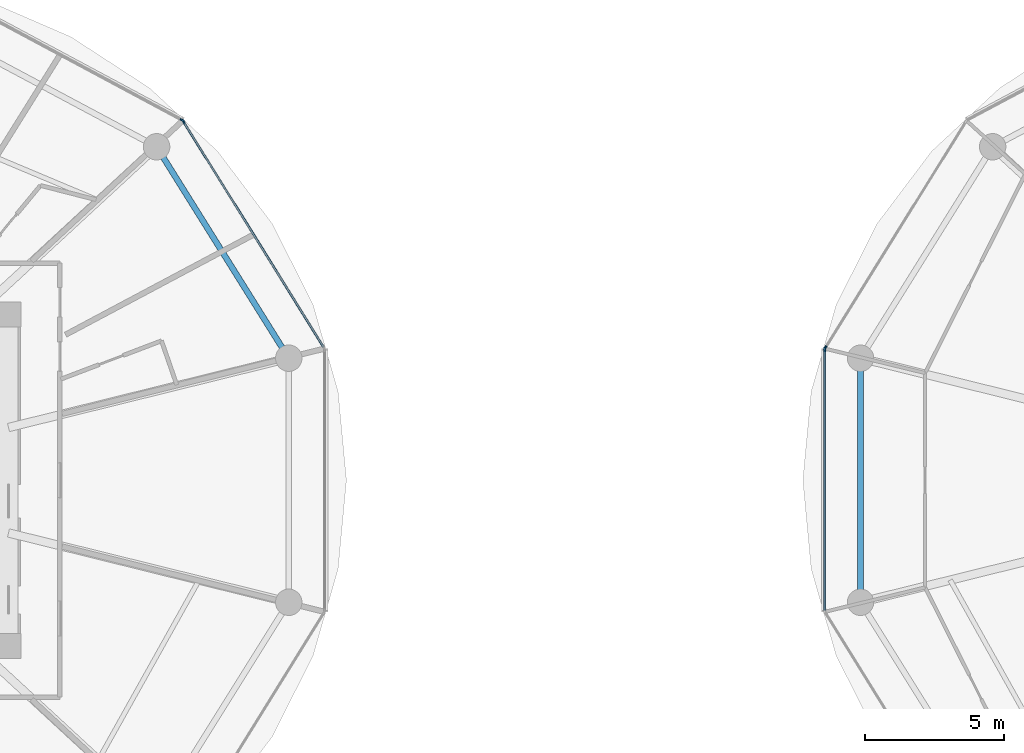
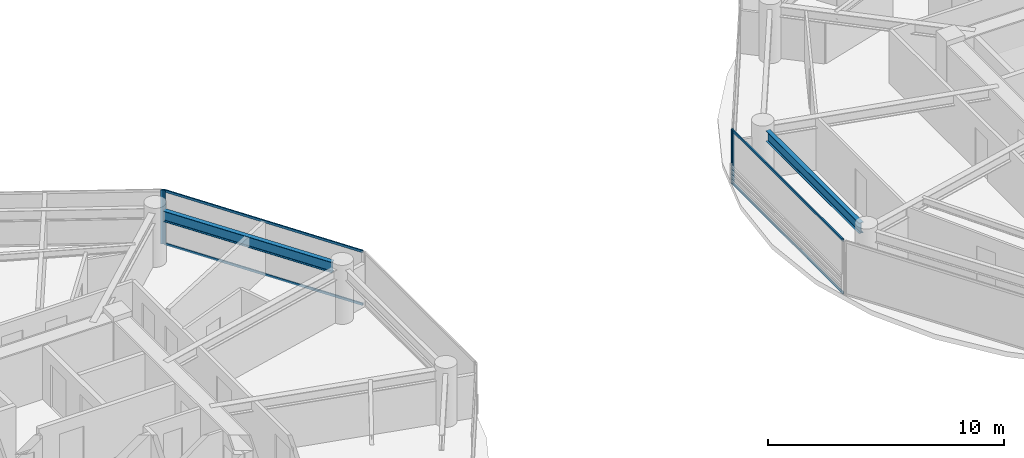
# One storey, part 8 of 28: 8 members, 2 beams, 4 elements without a shape of their own.
"""IFC4 building model written with IfcOpenShell, lengths in metres."""

from ifc_helpers import new_model, si_unit, direction, frame, origin, origin_2d, place, context, subcontext, project, spatial, rectangle, i_section, extrude, source, transform, mapped, material, layer, layer_set, material_profile, profile_set, type_object, type_shapes, element, aggregate, save


model = new_model("IFC4")

# Units and contexts
model_context = context("Model", 3, precision=1e-05, world=origin(), true_north=direction((0.0, 1.0)))
body_context = subcontext(model_context, "Body", "Model", "MODEL_VIEW")
ifc_project = project(units=[si_unit("LENGTHUNIT", "METRE"), si_unit("AREAUNIT", "SQUARE_METRE"), si_unit("VOLUMEUNIT", "CUBIC_METRE"), si_unit("PLANEANGLEUNIT", "RADIAN"), si_unit("MASSUNIT", "GRAM", prefix="KILO")], contexts=[model_context])

# Site, building, storey
site_placement = place(None, origin())
site = spatial("IfcSite", under=ifc_project, at=site_placement, CompositionType="ELEMENT")
building_placement = place(site_placement, origin())
building = spatial("IfcBuilding", under=site, at=building_placement, Name="Norrkilde Senior Care Towers", CompositionType="ELEMENT")
storey_placement = place(building_placement, frame((0.0, 0.0, 39.89990234375)))
storey = spatial("IfcBuildingStorey", under=building, at=storey_placement, Name="L11", CompositionType="ELEMENT", Elevation=39.89990234375)

# Beams
ifc_material_1 = material(Name="Steel S355", Category="steel")
ifc_material_profile_1 = material_profile(ifc_material_1, i_section(OverallWidth=0.2099609375, OverallDepth=0.550048828125, WebThickness=0.010986328125, FlangeThickness=0.01708984375, FilletRadius=0.02392578125, at=origin_2d()), Name="IPE 550")
ifc_profile_set_1 = profile_set([ifc_material_profile_1], Name="Steel S355")
beam_type = type_object("IfcBeamType", Name="Perimeter Ring Spandrel Z1 IPE550", PredefinedType="SPANDREL", material=ifc_profile_set_1)
shared_shape_1 = source(origin(), body_context, "Body", "SweptSolid", [
    extrude(i_section(OverallWidth=0.2099609375, OverallDepth=0.550048828125, WebThickness=0.010986328125, FlangeThickness=0.01708984375, FilletRadius=0.02392578125, at=origin_2d()), origin(), (0.0, 0.0, 1.0), 8.090576171875),
])
beam_1_placement = place(storey_placement, frame((-10.505859375, 4.755859375, 2.51513671875), z_axis=(-0.530004364821, 0.84799491347, 0.0), x_axis=(-0.84799491347, -0.530004364821, 0.0)))
element("IfcBeam", 1, at=beam_1_placement, inside=storey, type_object=beam_type, Name="L11 Drum W Perimeter Spandrel 01", PredefinedType="SPANDREL", context=body_context, shape_type="MappedRepresentation", body=[
    mapped(shared_shape_1, transform((0.0, 0.0, 0.0), x_axis=(1.0, 0.0, 0.0), y_axis=(0.0, 1.0, 0.0), z_axis=(0.0, 0.0, 1.0), scale=1.0)),
])
shared_shape_2 = source(origin(), body_context, "Body", "SweptSolid", [
    extrude(i_section(OverallWidth=0.2099609375, OverallDepth=0.550048828125, WebThickness=0.010986328125, FlangeThickness=0.01708984375, FilletRadius=0.02392578125, at=origin_2d()), origin(), (0.0, 0.0, 1.0), 7.90380859375),
])
type_shapes(beam_type, [shared_shape_1, shared_shape_2])
beam_2_placement = place(storey_placement, frame((10.275146484375, 3.951904296875, 2.51513671875), z_axis=(0.0, -1.0, 0.0), x_axis=(1.0, 0.0, 0.0)))
element("IfcBeam", 2, at=beam_2_placement, inside=storey, type_object=beam_type, Name="L11 Drum E Perimeter Spandrel 06", PredefinedType="SPANDREL", context=body_context, shape_type="MappedRepresentation", body=[
    mapped(shared_shape_2, transform((0.0, 0.0, 0.0), x_axis=(1.0, 0.0, 0.0), y_axis=(0.0, 1.0, 0.0), z_axis=(0.0, 0.0, 1.0), scale=1.0)),
])

# Curtain wall, member
ifc_material_2 = material(Name="Triple Low-E Insulated Glazing", Category="glass")
ifc_layer = layer(ifc_material_2, 0.199951171875)
ifc_layer_set = layer_set([ifc_layer], Name="Triple Low-E Insulated Glazing")
curtain_wall_type = type_object("IfcCurtainWallType", Name="CW2 Zone 1 Memory Care Curtain Wall", PredefinedType="NOTDEFINED", material=ifc_layer_set)
curtain_wall_1_placement = place(storey_placement, origin())
curtain_wall_1 = element("IfcCurtainWall", 3, at=curtain_wall_1_placement, inside=storey, type_object=curtain_wall_type, Name="L11 Drum W Curtain Wall 00", PredefinedType="NOTDEFINED")
ifc_material_3 = material(Name="Anodised Aluminium", Category="aluminium")
ifc_material_profile_2 = material_profile(ifc_material_3, rectangle(XDim=0.06494140625, YDim=0.159912109375, at=origin_2d()), Name="ALU MULL 65x160")
ifc_profile_set_2 = profile_set([ifc_material_profile_2], Name="Anodised Aluminium")
member_type_1 = type_object("IfcMemberType", Name="Curtain Wall Mullion Z1-Z2 65x160", PredefinedType="MULLION", material=ifc_profile_set_2)
shared_shape_3 = source(origin(), body_context, "Body", "SweptSolid", [
    extrude(rectangle(XDim=0.06494140625, YDim=0.159912109375, at=origin_2d()), origin(), (0.0, 0.0, 1.0), 2.7900390625),
])
type_shapes(member_type_1, [shared_shape_3])
member_1_placement = place(storey_placement, frame((-14.06689453125, 12.898193359375, 0.0), z_axis=(0.0, 0.0, 1.0), x_axis=(0.849305943117, 0.527900951871, 0.0)))
member_1 = element("IfcMember", 4, at=member_1_placement, type_object=member_type_1, Name="CW-2 mullion 1", PredefinedType="MULLION", context=body_context, shape_type="MappedRepresentation", body=[
    mapped(shared_shape_3, transform((0.0, 0.0, 0.0), x_axis=(1.0, 0.0, 0.0), y_axis=(0.0, 1.0, 0.0), z_axis=(0.0, 0.0, 1.0), scale=1.0)),
])

curtain_wall_2_placement = place(storey_placement, origin())
curtain_wall_2 = element("IfcCurtainWall", 5, at=curtain_wall_2_placement, inside=storey, type_object=curtain_wall_type, Name="L11 Drum W Curtain Wall 01", PredefinedType="NOTDEFINED")
member_2_placement = place(storey_placement, frame((-14.11279296875, 12.941162109375, 0.0), z_axis=(0.0, 0.0, 1.0), x_axis=(0.472607802456, 0.881272866403, 0.0)))
member_2 = element("IfcMember", 6, at=member_2_placement, type_object=member_type_1, Name="CW-2 mullion 2", PredefinedType="MULLION", context=body_context, shape_type="MappedRepresentation", body=[
    mapped(shared_shape_3, transform((0.0, 0.0, 0.0), x_axis=(1.0, 0.0, 0.0), y_axis=(0.0, 1.0, 0.0), z_axis=(0.0, 0.0, 1.0), scale=1.0)),
])
aggregate(curtain_wall_2, [member_2])

curtain_wall_3_placement = place(storey_placement, origin())
curtain_wall_3 = element("IfcCurtainWall", 7, at=curtain_wall_3_placement, inside=storey, type_object=curtain_wall_type, Name="L11 Drum E Curtain Wall 04", PredefinedType="NOTDEFINED")
member_3_placement = place(storey_placement, frame((9.0078125, 4.7587890625, 0.0), z_axis=(0.0, 0.0, 1.0), x_axis=(-0.849305943117, 0.527900951871, 0.0)))
member_3 = element("IfcMember", 8, at=member_3_placement, type_object=member_type_1, Name="CW-2 mullion 1", PredefinedType="MULLION", context=body_context, shape_type="MappedRepresentation", body=[
    mapped(shared_shape_3, transform((0.0, 0.0, 0.0), x_axis=(1.0, 0.0, 0.0), y_axis=(0.0, 1.0, 0.0), z_axis=(0.0, 0.0, 1.0), scale=1.0)),
])
aggregate(curtain_wall_3, [member_3])

curtain_wall_4_placement = place(storey_placement, origin())
curtain_wall_4 = element("IfcCurtainWall", 9, at=curtain_wall_4_placement, inside=storey, type_object=curtain_wall_type, Name="L11 Drum E Curtain Wall 05", PredefinedType="NOTDEFINED")
member_4_placement = place(storey_placement, frame((8.990478515625, 4.69873046875, 0.0), z_axis=(0.0, 0.0, 1.0), x_axis=(-1.0, 0.0, 0.0)))
member_4 = element("IfcMember", 10, at=member_4_placement, type_object=member_type_1, Name="CW-2 mullion 2", PredefinedType="MULLION", context=body_context, shape_type="MappedRepresentation", body=[
    mapped(shared_shape_3, transform((0.0, 0.0, 0.0), x_axis=(1.0, 0.0, 0.0), y_axis=(0.0, 1.0, 0.0), z_axis=(0.0, 0.0, 1.0), scale=1.0)),
])

# Member
ifc_material_profile_3 = material_profile(ifc_material_3, rectangle(XDim=0.06005859375, YDim=0.1201171875, at=origin_2d()), Name="ALU TRAN 60x120")
ifc_profile_set_3 = profile_set([ifc_material_profile_3], Name="Anodised Aluminium")
member_type_2 = type_object("IfcMemberType", Name="Curtain Wall Transom Typical 60x120", PredefinedType="USERDEFINED", material=ifc_profile_set_3)
shared_shape_4 = source(origin(), body_context, "Body", "SweptSolid", [
    extrude(rectangle(XDim=0.06005859375, YDim=0.1201171875, at=origin_2d()), origin(), (0.0, 0.0, 1.0), 9.5185546875),
])
member_5_placement = place(storey_placement, frame((-14.0498046875, 12.87060546875, 0.030029296875), z_axis=(0.527901620669, -0.849305527413, 0.0), x_axis=(0.849305527413, 0.527901620669, 0.0)))
member_5 = element("IfcMember", 11, at=member_5_placement, type_object=member_type_2, Name="CW-2 transom 1.1", ObjectType="TRANSOM", PredefinedType="USERDEFINED", context=body_context, shape_type="MappedRepresentation", body=[
    mapped(shared_shape_4, transform((0.0, 0.0, 0.0), x_axis=(1.0, 0.0, 0.0), y_axis=(0.0, 1.0, 0.0), z_axis=(0.0, 0.0, 1.0), scale=1.0)),
])

member_6_placement = place(storey_placement, frame((-14.0498046875, 12.87060546875, 2.760009765625), z_axis=(0.527901620669, -0.849305527413, 0.0), x_axis=(0.849305527413, 0.527901620669, 0.0)))
member_6 = element("IfcMember", 12, at=member_6_placement, type_object=member_type_2, Name="CW-2 transom 1.2", ObjectType="TRANSOM", PredefinedType="USERDEFINED", context=body_context, shape_type="MappedRepresentation", body=[
    mapped(shared_shape_4, transform((0.0, 0.0, 0.0), x_axis=(1.0, 0.0, 0.0), y_axis=(0.0, 1.0, 0.0), z_axis=(0.0, 0.0, 1.0), scale=1.0)),
])

aggregate(curtain_wall_1, [member_1, member_5, member_6])

shared_shape_5 = source(origin(), body_context, "Body", "SweptSolid", [
    extrude(rectangle(XDim=0.06005859375, YDim=0.1201171875, at=origin_2d()), origin(), (0.0, 0.0, 1.0), 9.33251953125),
])
type_shapes(member_type_2, [shared_shape_4, shared_shape_5])
member_7_placement = place(storey_placement, frame((8.990478515625, -4.666259765625, 0.030029296875), z_axis=(0.0, 1.0, 0.0), x_axis=(-1.0, 0.0, 0.0)))
member_7 = element("IfcMember", 13, at=member_7_placement, type_object=member_type_2, Name="CW-2 transom 1.1", ObjectType="TRANSOM", PredefinedType="USERDEFINED", context=body_context, shape_type="MappedRepresentation", body=[
    mapped(shared_shape_5, transform((0.0, 0.0, 0.0), x_axis=(1.0, 0.0, 0.0), y_axis=(0.0, 1.0, 0.0), z_axis=(0.0, 0.0, 1.0), scale=1.0)),
])

member_8_placement = place(storey_placement, frame((8.990478515625, -4.666259765625, 2.760009765625), z_axis=(0.0, 1.0, 0.0), x_axis=(-1.0, 0.0, 0.0)))
member_8 = element("IfcMember", 14, at=member_8_placement, type_object=member_type_2, Name="CW-2 transom 1.2", ObjectType="TRANSOM", PredefinedType="USERDEFINED", context=body_context, shape_type="MappedRepresentation", body=[
    mapped(shared_shape_5, transform((0.0, 0.0, 0.0), x_axis=(1.0, 0.0, 0.0), y_axis=(0.0, 1.0, 0.0), z_axis=(0.0, 0.0, 1.0), scale=1.0)),
])

aggregate(curtain_wall_4, [member_4, member_7, member_8])

save(model, "model.ifc")
